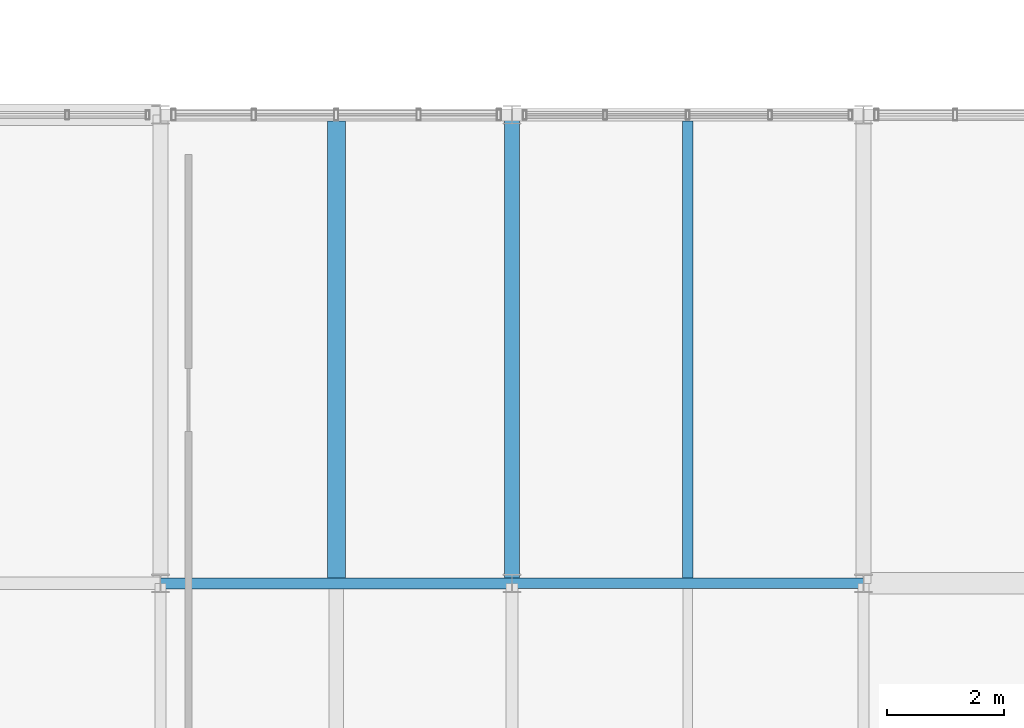
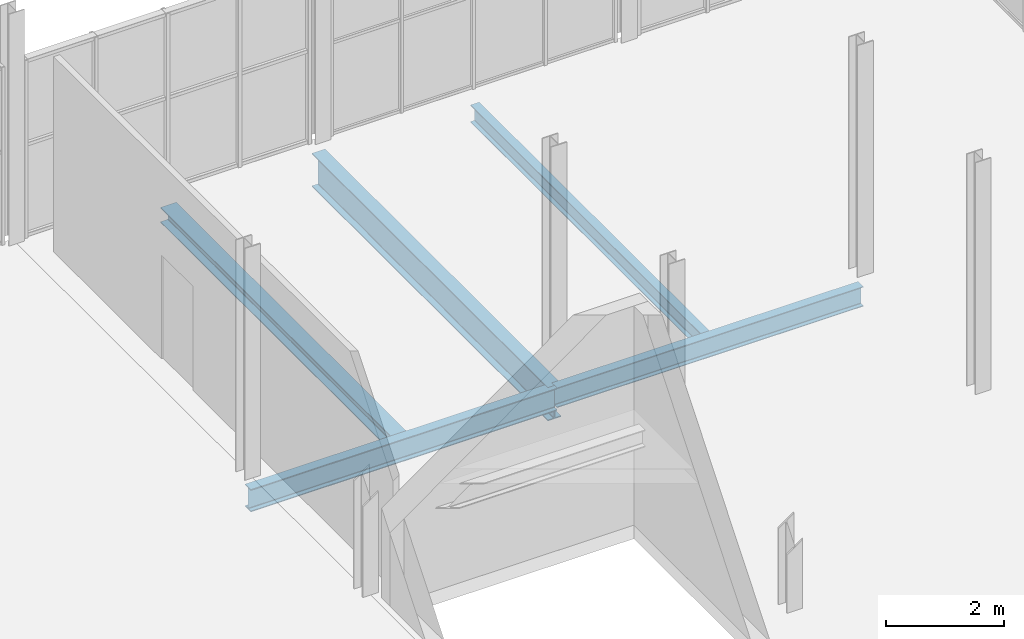
# One storey, part 75 of 114: 5 beams.
"""IFC4 building model written with IfcOpenShell, lengths in metres."""

import ifcopenshell
import ifcopenshell.guid

model = None  # the IFC model being written
_history = None  # IfcOwnerHistory: only IFC2X3 demands one
_inside = {}  # id of a spatial element -> (the spatial element, [elements in it])
_under = {}  # id of a project, library or spatial element -> (it, [spatial elements below it])
_declared = {}  # id of a project -> (the project, [libraries it declares])
_typed = {}  # id of a type object -> (the type object, [elements of that type])
_made_of = {}  # id of a material, layer set ... -> (it, [elements and type objects made of it])


def new_model(schema):
    """Start an empty IFC model of exactly this schema.

    Asked for "IFC4X3", IfcOpenShell would pick the latest addendum, in which some entities
    have other attributes; the version numbers below select the first issue.
    IFC2X3 requires an IfcOwnerHistory on every rooted entity: one is made here for all.
    """
    global model, _history
    if schema == "IFC4X3":
        model = ifcopenshell.file(schema_version=(4, 3, 0, 0))
    else:
        model = ifcopenshell.file(schema=schema)
    _inside.clear()
    _under.clear()
    _declared.clear()
    _typed.clear()
    _made_of.clear()
    _history = None
    if model.schema == "IFC2X3":
        org = make("IfcOrganization", Name="unknown")
        user = make(
            "IfcPersonAndOrganization",
            ThePerson=make("IfcPerson", FamilyName="unknown"),
            TheOrganization=org,
        )
        app = make(
            "IfcApplication",
            ApplicationDeveloper=org,
            Version="unknown",
            ApplicationFullName="unknown",
            ApplicationIdentifier="unknown",
        )
        _history = make(
            "IfcOwnerHistory",
            OwningUser=user,
            OwningApplication=app,
            ChangeAction="ADDED",
            CreationDate=0,
        )
    return model


def make(cls, **values):
    """One entity of the class cls with the attributes given. An attribute that is None is left unset."""
    return model.create_entity(
        cls, **{name: value for name, value in values.items() if value is not None}
    )


def rooted(cls, **values):
    """An entity with a GlobalId (a new one), such as an element, a storey or a relation."""
    return make(cls, GlobalId=ifcopenshell.guid.new(), OwnerHistory=_history, **values)


def si_unit(unit_type, name, prefix=None):
    """IfcSIUnit, for example si_unit("LENGTHUNIT", "METRE", prefix="MILLI")."""
    return make("IfcSIUnit", UnitType=unit_type, Prefix=prefix, Name=name)


def assignment(units):
    """IfcUnitAssignment: the units of a project."""
    return None if units is None else make("IfcUnitAssignment", Units=units)


def point(xyz):
    """IfcCartesianPoint."""
    return None if xyz is None else make("IfcCartesianPoint", Coordinates=xyz)


def direction(xyz):
    """IfcDirection."""
    return None if xyz is None else make("IfcDirection", DirectionRatios=xyz)


def frame(location, z_axis=None, x_axis=None):
    """IfcAxis2Placement3D, a coordinate frame: its origin and axes. An axis left out is left unset."""
    return make(
        "IfcAxis2Placement3D",
        Location=point(location),
        Axis=direction(z_axis),
        RefDirection=direction(x_axis),
    )


def frame_2d(location, x_axis=None):
    """IfcAxis2Placement2D, a coordinate frame in the plane: its origin and x axis."""
    return make(
        "IfcAxis2Placement2D", Location=point(location), RefDirection=direction(x_axis)
    )


def origin():
    """The frame at (0, 0, 0) with its axes left unset."""
    return frame((0.0, 0.0, 0.0))


def origin_2d():
    """The frame at (0, 0) in the plane with its x axis left unset."""
    return frame_2d((0.0, 0.0))


def place(relative_to, where):
    """IfcLocalPlacement: puts the frame where relative to a parent placement (None: the world)."""
    return make(
        "IfcLocalPlacement", PlacementRelTo=relative_to, RelativePlacement=where
    )


def context(
    kind, dimensions, precision=None, world=None, true_north=None, identifier=None
):
    """IfcGeometricRepresentationContext, for example the 3D "Model" context."""
    return make(
        "IfcGeometricRepresentationContext",
        ContextIdentifier=identifier,
        ContextType=kind,
        CoordinateSpaceDimension=dimensions,
        Precision=precision,
        WorldCoordinateSystem=world,
        TrueNorth=true_north,
    )


def subcontext(parent, identifier, kind, view, scale=None):
    """IfcGeometricRepresentationSubContext, for example "Body" below "Model"."""
    return make(
        "IfcGeometricRepresentationSubContext",
        ContextIdentifier=identifier,
        ContextType=kind,
        ParentContext=parent,
        TargetScale=scale,
        TargetView=view,
    )


def project(units=None, contexts=None):
    """IfcProject with its units and contexts."""
    return rooted(
        "IfcProject",
        Name="project",
        RepresentationContexts=contexts,
        UnitsInContext=assignment(units),
    )


def spatial(cls, under=None, at=None, **own):
    """A site, building, storey or space (cls), placed at a placement, below another one or the project."""
    s = rooted(cls, ObjectPlacement=at, **own)
    if under is not None:
        _under.setdefault(under.id(), (under, []))[1].append(s)
    return s


def profile(cls, at=None, kind="AREA", **sizes):
    """A parametric profile (cls). Its sizes go by their IFC names, for example OverallWidth=200.0."""
    return make(cls, ProfileType=kind, Position=at, **sizes)


def i_section(**sizes):
    """IfcIShapeProfileDef."""
    return profile("IfcIShapeProfileDef", **sizes)


def extrude(swept, where, along, depth):
    """IfcExtrudedAreaSolid: the profile swept, set in the frame where, extruded along a direction by depth."""
    return make(
        "IfcExtrudedAreaSolid",
        SweptArea=swept,
        Position=where,
        ExtrudedDirection=direction(along),
        Depth=depth,
    )


def shape(context_of_items, identifier, shape_type, items):
    """IfcShapeRepresentation: the items that make up one representation, for example the "Body"."""
    return make(
        "IfcShapeRepresentation",
        ContextOfItems=context_of_items,
        RepresentationIdentifier=identifier,
        RepresentationType=shape_type,
        Items=items,
    )


def material(Name=None, Category=None):
    """IfcMaterial."""
    return make("IfcMaterial", Name=Name, Category=Category)


def material_profile(
    of_material, cross_section, Name=None, Category=None, Priority=None
):
    """IfcMaterialProfile: a cross section and its material."""
    return make(
        "IfcMaterialProfile",
        Name=Name,
        Material=of_material,
        Profile=cross_section,
        Priority=Priority,
        Category=Category,
    )


def profile_set(profiles, Name=None, composite=None):
    """IfcMaterialProfileSet."""
    return make(
        "IfcMaterialProfileSet",
        Name=Name,
        MaterialProfiles=profiles,
        CompositeProfile=composite,
    )


def made_of(thing, what):
    """Note that an element or type object is made of a material, layer set ...; save() writes the relation."""
    if what is not None:
        _made_of.setdefault(what.id(), (what, []))[1].append(thing)
    return thing


def type_object(cls, material=None, **own):
    """A type object (cls), such as IfcWallType, which elements share."""
    return made_of(rooted(cls, **own), material)


def element(
    cls,
    number,
    at=None,
    inside=None,
    cuts=None,
    type_object=None,
    material=None,
    context=None,
    identifier="Body",
    shape_type=None,
    held_by="IfcProductDefinitionShape",
    body=None,
    shapes=None,
    **own,
):
    """One element of the class cls, such as IfcWall. Its Tag is "e" and its number.

    at: its placement. inside: the storey or other place that contains it. cuts: it is an
    opening in that element (IfcRelVoidsElement). A single representation is given by context,
    identifier, shape_type and body (its items); several are given by shapes. held_by: the class
    of the entity that holds the representations. save() writes the other relations.
    """
    e = rooted(cls, Tag="e%d" % number, ObjectPlacement=at, **own)
    if body is not None:
        shapes = [shape(context, identifier, shape_type, body)]
    if shapes is not None:
        e.Representation = make(held_by, Representations=shapes)
    if inside is not None:
        _inside.setdefault(inside.id(), (inside, []))[1].append(e)
    if cuts is not None:
        rooted(
            "IfcRelVoidsElement", RelatingBuildingElement=cuts, RelatedOpeningElement=e
        )
    if type_object is not None:
        _typed.setdefault(type_object.id(), (type_object, []))[1].append(e)
    return made_of(e, material)


def aggregate(whole, parts):
    """IfcRelAggregates: a whole, such as a stair, and the parts it consists of."""
    return rooted("IfcRelAggregates", RelatingObject=whole, RelatedObjects=parts)


def save(model, path):
    """Write the relations noted so far, then the file.

    IfcRelAggregates (storeys below a building ...), IfcRelContainedInSpatialStructure (elements
    in a storey), IfcRelDefinesByType, IfcRelAssociatesMaterial and IfcRelDeclares: one each for
    every whole, place, type object, material and project.
    """
    for whole, parts in _under.values():
        aggregate(whole, parts)
    for where, things in _inside.values():
        rooted(
            "IfcRelContainedInSpatialStructure",
            RelatedElements=things,
            RelatingStructure=where,
        )
    for kind, things in _typed.values():
        rooted("IfcRelDefinesByType", RelatedObjects=things, RelatingType=kind)
    for what, things in _made_of.values():
        rooted("IfcRelAssociatesMaterial", RelatedObjects=things, RelatingMaterial=what)
    for by, libraries in _declared.values():
        rooted("IfcRelDeclares", RelatingContext=by, RelatedDefinitions=libraries)
    model.write(path)


model = new_model("IFC4")

# Units and contexts
model_context = context("Model", 3, precision=1e-05, world=origin(), true_north=direction((0.0, 1.0)))
body_context = subcontext(model_context, "Body", "Model", "MODEL_VIEW")
ifc_project = project(units=[si_unit("LENGTHUNIT", "METRE"), si_unit("AREAUNIT", "SQUARE_METRE"), si_unit("VOLUMEUNIT", "CUBIC_METRE"), si_unit("PLANEANGLEUNIT", "RADIAN"), si_unit("MASSUNIT", "GRAM", prefix="KILO")], contexts=[model_context])

# Site, building, storey
site_placement = place(None, origin())
site = spatial("IfcSite", under=ifc_project, at=site_placement, CompositionType="ELEMENT")
building_placement = place(site_placement, origin())
building = spatial("IfcBuilding", under=site, at=building_placement, Name="Verrall Gate Interchange", CompositionType="ELEMENT")
storey_placement = place(building_placement, frame((0.0, 0.0, 6.60009765625)))
storey = spatial("IfcBuildingStorey", under=building, at=storey_placement, Name="L02", CompositionType="ELEMENT", Elevation=6.60009765625)

# Beams
ifc_material_1 = material(Name="Structural Steel CSA G40.21 350WT Cat 4", Category="steel")
ifc_material_profile_1 = material_profile(ifc_material_1, i_section(OverallWidth=0.256103515625, OverallDepth=0.693115234375, WebThickness=0.01318359375, FlangeThickness=0.02001953125, FilletRadius=0.01611328125, at=origin_2d()), Name="W690x170")
ifc_profile_set_1 = profile_set([ifc_material_profile_1], Name="Structural Steel CSA G40.21 350WT Cat 4")
beam_type_1 = type_object("IfcBeamType", Name="B-07 Structural Beam W690x170", PredefinedType="BEAM", material=ifc_profile_set_1)
beam_1_placement = place(storey_placement, frame((156.0, 48.0, -0.626708984375), z_axis=(0.0, 1.0, 0.0), x_axis=(-1.0, 0.0, 0.0)))
element("IfcBeam", 1, at=beam_1_placement, inside=storey, type_object=beam_type_1, Name="L02 Girder BM-L02-1822 (B-07)", PredefinedType="BEAM", context=body_context, shape_type="SweptSolid", body=[
    extrude(i_section(OverallWidth=0.256103515625, OverallDepth=0.693115234375, WebThickness=0.01318359375, FlangeThickness=0.02001953125, FilletRadius=0.01611328125, at=origin_2d()), origin(), (0.0, 0.0, 1.0), 8.0),
])
ifc_material_2 = material(Name="Structural Steel CSA G40.21 350W", Category="steel")
ifc_material_profile_2 = material_profile(ifc_material_2, i_section(OverallWidth=0.19189453125, OverallDepth=0.462890625, WebThickness=0.010498046875, FlangeThickness=0.017578125, FilletRadius=0.012939453125, at=origin_2d()), Name="W460x89")
ifc_profile_set_2 = profile_set([ifc_material_profile_2], Name="Structural Steel CSA G40.21 350W")
beam_type_2 = type_object("IfcBeamType", Name="B-11 Structural Beam W460x89", PredefinedType="BEAM", material=ifc_profile_set_2)
beam_2_placement = place(storey_placement, frame((150.0, 48.0, -0.51171875), z_axis=(1.0, 0.0, 0.0), x_axis=(0.0, 1.0, 0.0)))
element("IfcBeam", 2, at=beam_2_placement, inside=storey, type_object=beam_type_2, Name="L02 Girder BM-L02-1585 (B-11)", PredefinedType="BEAM", context=body_context, shape_type="SweptSolid", body=[
    extrude(i_section(OverallWidth=0.19189453125, OverallDepth=0.462890625, WebThickness=0.010498046875, FlangeThickness=0.017578125, FilletRadius=0.012939453125, at=origin_2d()), origin(), (0.0, 0.0, 1.0), 6.0),
])
ifc_material_3 = material(Name="Structural Steel CSA G40.21 350W", Category="steel")
ifc_material_profile_3 = material_profile(ifc_material_3, i_section(OverallWidth=0.178955078125, OverallDepth=0.409912109375, WebThickness=0.0087890625, FlangeThickness=0.014404296875, FilletRadius=0.011962890625, at=origin_2d()), Name="W410x67")
ifc_profile_set_3 = profile_set([ifc_material_profile_3], Name="Structural Steel CSA G40.21 350W")
beam_type_3 = type_object("IfcBeamType", Name="B-12 Structural Beam W410x67", PredefinedType="BEAM", material=ifc_profile_set_3)
beam_3_placement = place(storey_placement, frame((156.0, 48.0, -0.485107421875), z_axis=(1.0, 0.0, 0.0), x_axis=(0.0, 1.0, 0.0)))
element("IfcBeam", 3, at=beam_3_placement, inside=storey, type_object=beam_type_3, Name="L02 Girder BM-L02-1586 (B-12)", PredefinedType="BEAM", context=body_context, shape_type="SweptSolid", body=[
    extrude(i_section(OverallWidth=0.178955078125, OverallDepth=0.409912109375, WebThickness=0.0087890625, FlangeThickness=0.014404296875, FilletRadius=0.011962890625, at=origin_2d()), origin(), (0.0, 0.0, 1.0), 6.0),
])
ifc_material_4 = material(Name="Structural Steel CSA G40.21 350W", Category="steel")
ifc_material_profile_4 = material_profile(ifc_material_4, i_section(OverallWidth=0.172119140625, OverallDepth=0.35791015625, WebThickness=0.0078125, FlangeThickness=0.01318359375, FilletRadius=0.010986328125, at=origin_2d()), Name="W360x57")
ifc_profile_set_4 = profile_set([ifc_material_profile_4], Name="Structural Steel CSA G40.21 350W")
beam_type_4 = type_object("IfcBeamType", Name="J-01 Floor Joist W360x57", PredefinedType="JOIST", material=ifc_profile_set_4)
beam_4_placement = place(storey_placement, frame((159.0, 48.089599609375, -0.458984375), z_axis=(0.0, 1.0, 0.0), x_axis=(-1.0, 0.0, 0.0)))
element("IfcBeam", 4, at=beam_4_placement, inside=storey, type_object=beam_type_4, Name="L02 Secondary Floor Joist JST-L02-1959", PredefinedType="JOIST", context=body_context, shape_type="SweptSolid", body=[
    extrude(i_section(OverallWidth=0.172119140625, OverallDepth=0.35791015625, WebThickness=0.0078125, FlangeThickness=0.01318359375, FilletRadius=0.010986328125, at=origin_2d()), origin(), (0.0, 0.0, 1.0), 7.804931640625),
])
ifc_material_5 = material(Name="Structural Steel CSA G40.21 350W", Category="steel")
ifc_material_profile_5 = material_profile(ifc_material_5, i_section(OverallWidth=0.306884765625, OverallDepth=0.31396484375, WebThickness=0.011962890625, FlangeThickness=0.018798828125, FilletRadius=0.013916015625, at=origin_2d()), Name="W310x118")
ifc_profile_set_5 = profile_set([ifc_material_profile_5], Name="Structural Steel CSA G40.21 350W")
beam_type_5 = type_object("IfcBeamType", Name="J-02 Floor Joist W310x118", PredefinedType="JOIST", material=ifc_profile_set_5)
beam_5_placement = place(storey_placement, frame((153.0, 48.095947265625, -0.43701171875), z_axis=(0.0, 1.0, 0.0), x_axis=(-1.0, 0.0, 0.0)))
element("IfcBeam", 5, at=beam_5_placement, inside=storey, type_object=beam_type_5, Name="L02 Secondary Floor Joist JST-L02-1958", PredefinedType="JOIST", context=body_context, shape_type="SweptSolid", body=[
    extrude(i_section(OverallWidth=0.306884765625, OverallDepth=0.31396484375, WebThickness=0.011962890625, FlangeThickness=0.018798828125, FilletRadius=0.013916015625, at=origin_2d()), origin(), (0.0, 0.0, 1.0), 7.801513671875),
])

save(model, "model.ifc")
